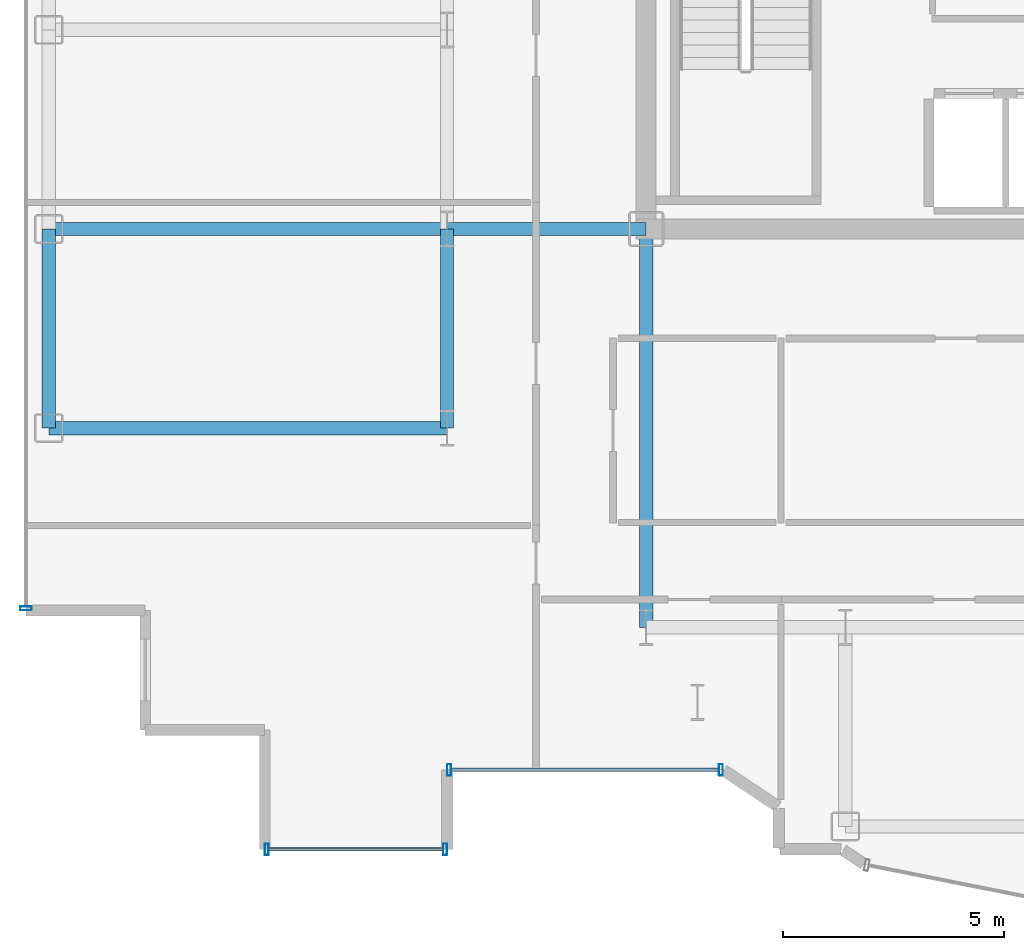
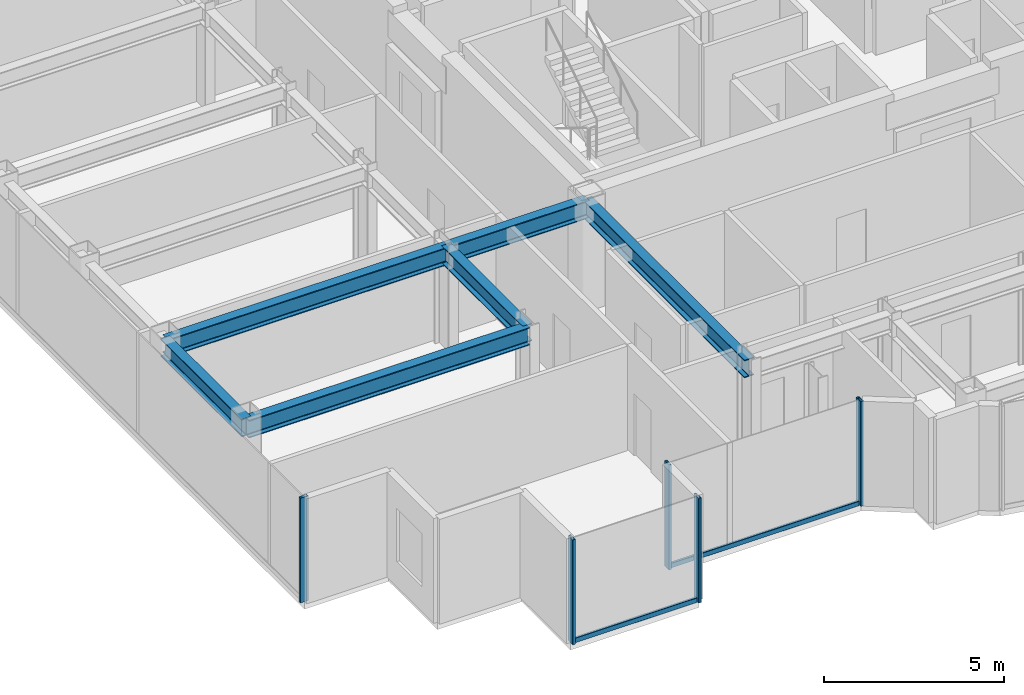
# One storey, part 2 of 20: 7 members, 6 beams, 3 elements without a shape of their own.
"""IFC4 building model written with IfcOpenShell, lengths in metres."""

from ifc_helpers import new_model, si_unit, direction, frame, origin, origin_2d, place, context, subcontext, project, spatial, hollow_rectangle, i_section, extrude, source, transform, mapped, material, layer, layer_set, material_profile, profile_set, type_object, element, aggregate, save


model = new_model("IFC4")

# Units and contexts
model_context = context("Model", 3, precision=1e-05, world=origin(), true_north=direction((0.0, 1.0)))
body_context = subcontext(model_context, "Body", "Model", "MODEL_VIEW")
ifc_project = project(units=[si_unit("LENGTHUNIT", "METRE"), si_unit("AREAUNIT", "SQUARE_METRE"), si_unit("VOLUMEUNIT", "CUBIC_METRE"), si_unit("PLANEANGLEUNIT", "RADIAN"), si_unit("MASSUNIT", "GRAM", prefix="KILO")], contexts=[model_context])

# Site, building, storey
site_placement = place(None, origin())
site = spatial("IfcSite", under=ifc_project, at=site_placement, CompositionType="ELEMENT")
building_placement = place(site_placement, origin())
building = spatial("IfcBuilding", under=site, at=building_placement, Name="Nefas-Gora Pilgrimage Tower", CompositionType="ELEMENT")
storey_placement = place(building_placement, frame((0.0, 0.0, 214.199951171875)))
storey = spatial("IfcBuildingStorey", under=building, at=storey_placement, Name="L53", CompositionType="ELEMENT", Elevation=214.199951171875)

# Beams
ifc_material_1 = material(Name="Steel S355", Category="steel")
ifc_material_profile_1 = material_profile(ifc_material_1, i_section(OverallWidth=0.300048828125, OverallDepth=0.60009765625, WebThickness=0.015380859375, FlangeThickness=0.030029296875, FilletRadius=0.027099609375, at=origin_2d()), Name="HEB 600")
ifc_profile_set_1 = profile_set([ifc_material_profile_1], Name="Steel S355")
beam_type_1 = type_object("IfcBeamType", Name="BM-SPN-HEB450", PredefinedType="SPANDREL", material=ifc_profile_set_1)
shared_shape_1 = source(origin(), body_context, "Body", "SweptSolid", [
    extrude(i_section(OverallWidth=0.300048828125, OverallDepth=0.60009765625, WebThickness=0.015380859375, FlangeThickness=0.030029296875, FilletRadius=0.027099609375, at=origin_2d()), origin(), (0.0, 0.0, 1.0), 4.5),
])
beam_placement = place(storey_placement, frame((-24.75, -13.5, 3.25), z_axis=(0.0, 1.0, 0.0), x_axis=(-1.0, 0.0, 0.0)))
element("IfcBeam", 1, at=beam_placement, inside=storey, type_object=beam_type_1, Name="L53 SP-03 beam", PredefinedType="SPANDREL", context=body_context, shape_type="MappedRepresentation", body=[
    mapped(shared_shape_1, transform((0.0, 0.0, 0.0), x_axis=(1.0, 0.0, 0.0), y_axis=(0.0, 1.0, 0.0), z_axis=(0.0, 0.0, 1.0), scale=1.0)),
])
ifc_material_profile_2 = material_profile(ifc_material_1, i_section(OverallWidth=0.300048828125, OverallDepth=0.60009765625, WebThickness=0.015380859375, FlangeThickness=0.030029296875, FilletRadius=0.027099609375, at=origin_2d()), Name="HEB 600")
ifc_profile_set_2 = profile_set([ifc_material_profile_2], Name="Steel S355")
beam_type_2 = type_object("IfcBeamType", Name="BM-GIR-HEB600", PredefinedType="BEAM", material=ifc_profile_set_2)
shared_shape_2 = source(origin(), body_context, "Body", "SweptSolid", [
    extrude(i_section(OverallWidth=0.300048828125, OverallDepth=0.60009765625, WebThickness=0.015380859375, FlangeThickness=0.030029296875, FilletRadius=0.027099609375, at=origin_2d()), origin(), (0.0, 0.0, 1.0), 9.0),
])
for number, where, z_axis, x_axis, name in (
    (2, (-24.75, -13.5, 3.25), (1.0, 0.0, 0.0), (0.0, 1.0, 0.0), "L53 G-04 beam"),
    (3, (-24.75, -9.0, 3.25), (1.0, 0.0, 0.0), (0.0, 1.0, 0.0), "L53 G-04 beam"),
    (4, (-11.25, -18.0, 3.25), (0.0, 1.0, 0.0), (-1.0, 0.0, 0.0), "L53 G-04 beam"),
):
    element("IfcBeam", number, at=place(storey_placement, frame(where, z_axis=z_axis, x_axis=x_axis)), inside=storey, type_object=beam_type_2, Name=name, PredefinedType="BEAM", context=body_context, shape_type="MappedRepresentation", body=[
        mapped(shared_shape_2, transform((0.0, 0.0, 0.0), x_axis=(1.0, 0.0, 0.0), y_axis=(0.0, 1.0, 0.0), z_axis=(0.0, 0.0, 1.0), scale=1.0)),
    ])
shared_shape_3 = source(origin(), body_context, "Body", "SweptSolid", [
    extrude(i_section(OverallWidth=0.300048828125, OverallDepth=0.60009765625, WebThickness=0.015380859375, FlangeThickness=0.030029296875, FilletRadius=0.027099609375, at=origin_2d()), origin(), (0.0, 0.0, 1.0), 4.5),
])
for number, where, z_axis, x_axis, name in (
    (5, (-15.75, -13.5, 3.25), (0.0, 1.0, 0.0), (-1.0, 0.0, 0.0), "L53 G-04 beam"),
    (6, (-15.75, -9.0, 3.25), (1.0, 0.0, 0.0), (0.0, 1.0, 0.0), "L53 G-04 beam"),
):
    element("IfcBeam", number, at=place(storey_placement, frame(where, z_axis=z_axis, x_axis=x_axis)), inside=storey, type_object=beam_type_2, Name=name, PredefinedType="BEAM", context=body_context, shape_type="MappedRepresentation", body=[
        mapped(shared_shape_3, transform((0.0, 0.0, 0.0), x_axis=(1.0, 0.0, 0.0), y_axis=(0.0, 1.0, 0.0), z_axis=(0.0, 0.0, 1.0), scale=1.0)),
    ])

# Curtain wall, members
ifc_material_2 = material(Name="Dark ceramic-fritted solar-control aluminium-glass curtain wall", Category="aluminium")
ifc_layer_1 = layer(ifc_material_2, 0.219970703125)
ifc_layer_set_1 = layer_set([ifc_layer_1], Name="Dark ceramic-fritted solar-control aluminium-glass curtain wall")
curtain_wall_type_1 = type_object("IfcCurtainWallType", Name="CW-SYS-5", PredefinedType="NOTDEFINED", material=ifc_layer_set_1)
curtain_wall_1_placement = place(storey_placement, origin())
curtain_wall_1 = element("IfcCurtainWall", 7, at=curtain_wall_1_placement, inside=storey, type_object=curtain_wall_type_1, Name="L53 Unitised Curtain Wall CW5", PredefinedType="NOTDEFINED")
ifc_material_3 = material(Name="Anodised architectural aluminium", Category="aluminium")
ifc_material_profile_3 = material_profile(ifc_material_3, hollow_rectangle(XDim=0.090087890625, YDim=0.260009765625, WallThickness=0.006103515625, InnerFilletRadius=0.006103515625, OuterFilletRadius=0.011962890625, at=origin_2d()), Name="ALU MULLION 90x260")
ifc_profile_set_3 = profile_set([ifc_material_profile_3], Name="Anodised architectural aluminium")
member_type_1 = type_object("IfcMemberType", Name="CWM-MUL-5", PredefinedType="MULLION", material=ifc_profile_set_3)
shared_shape_4 = source(origin(), body_context, "Body", "SweptSolid", [
    extrude(hollow_rectangle(XDim=0.090087890625, YDim=0.260009765625, WallThickness=0.006103515625, InnerFilletRadius=0.006103515625, OuterFilletRadius=0.011962890625, at=origin_2d()), origin(), (0.0, 0.0, 1.0), 3.550048828125),
])
member_1_placement = place(storey_placement, frame((-15.705078125, -21.219970703125, 0.0), z_axis=(0.0, 0.0, 1.0), x_axis=(1.0, 0.0, 0.0)))
member_1 = element("IfcMember", 8, at=member_1_placement, type_object=member_type_1, Name="CW5 Mullion 1", PredefinedType="MULLION", context=body_context, shape_type="MappedRepresentation", body=[
    mapped(shared_shape_4, transform((0.0, 0.0, 0.0), x_axis=(1.0, 0.0, 0.0), y_axis=(0.0, 1.0, 0.0), z_axis=(0.0, 0.0, 1.0), scale=1.0)),
])
member_2_placement = place(storey_placement, frame((-9.56298828125, -21.219970703125, 0.0), z_axis=(0.0, 0.0, 1.0), x_axis=(1.0, 0.0, 0.0)))
member_2 = element("IfcMember", 9, at=member_2_placement, type_object=member_type_1, Name="CW5 Mullion 2", PredefinedType="MULLION", context=body_context, shape_type="MappedRepresentation", body=[
    mapped(shared_shape_4, transform((0.0, 0.0, 0.0), x_axis=(1.0, 0.0, 0.0), y_axis=(0.0, 1.0, 0.0), z_axis=(0.0, 0.0, 1.0), scale=1.0)),
])
ifc_material_profile_4 = material_profile(ifc_material_3, hollow_rectangle(XDim=0.080078125, YDim=0.159912109375, WallThickness=0.00439453125, InnerFilletRadius=0.00439453125, OuterFilletRadius=0.009033203125, at=origin_2d()), Name="ALU TRANSOM 80x160")
ifc_profile_set_4 = profile_set([ifc_material_profile_4], Name="Anodised architectural aluminium")
member_type_2 = type_object("IfcMemberType", Name="CWM-TRN-5", PredefinedType="USERDEFINED", material=ifc_profile_set_4)
shared_shape_5 = source(origin(), body_context, "Body", "SweptSolid", [
    extrude(hollow_rectangle(XDim=0.080078125, YDim=0.159912109375, WallThickness=0.00439453125, InnerFilletRadius=0.00439453125, OuterFilletRadius=0.009033203125, at=origin_2d()), origin(), (0.0, 0.0, 1.0), 6.052001953125),
])
member_3_placement = place(storey_placement, frame((-15.659912109375, -21.219970703125, 0.050048828125), z_axis=(1.0, 0.0, 0.0), x_axis=(0.0, 1.0, 0.0)))
member_3 = element("IfcMember", 10, at=member_3_placement, type_object=member_type_2, Name="CW5 Spandrel Transom", ObjectType="TRANSOM", PredefinedType="USERDEFINED", context=body_context, shape_type="MappedRepresentation", body=[
    mapped(shared_shape_5, transform((0.0, 0.0, 0.0), x_axis=(1.0, 0.0, 0.0), y_axis=(0.0, 1.0, 0.0), z_axis=(0.0, 0.0, 1.0), scale=1.0)),
])
aggregate(curtain_wall_1, [member_1, member_2, member_3])

# Curtain wall, member
ifc_layer_2 = layer(ifc_material_2, 0.219970703125)
ifc_layer_set_2 = layer_set([ifc_layer_2], Name="Dark ceramic-fritted solar-control aluminium-glass curtain wall")
curtain_wall_type_2 = type_object("IfcCurtainWallType", Name="CW-SYS-3", PredefinedType="NOTDEFINED", material=ifc_layer_set_2)
curtain_wall_2_placement = place(storey_placement, origin())
curtain_wall_2 = element("IfcCurtainWall", 11, at=curtain_wall_2_placement, inside=storey, type_object=curtain_wall_type_2, Name="L53 Unitised Curtain Wall CW3", PredefinedType="NOTDEFINED")
ifc_material_profile_5 = material_profile(ifc_material_3, hollow_rectangle(XDim=0.090087890625, YDim=0.260009765625, WallThickness=0.006103515625, InnerFilletRadius=0.006103515625, OuterFilletRadius=0.011962890625, at=origin_2d()), Name="ALU MULLION 90x260")
ifc_profile_set_5 = profile_set([ifc_material_profile_5], Name="Anodised architectural aluminium")
member_type_3 = type_object("IfcMemberType", Name="CWM-MUL-3", PredefinedType="MULLION", material=ifc_profile_set_5)
shared_shape_6 = source(origin(), body_context, "Body", "SweptSolid", [
    extrude(hollow_rectangle(XDim=0.090087890625, YDim=0.260009765625, WallThickness=0.006103515625, InnerFilletRadius=0.006103515625, OuterFilletRadius=0.011962890625, at=origin_2d()), origin(), (0.0, 0.0, 1.0), 3.550048828125),
])
member_4_placement = place(storey_placement, frame((-25.27001953125, -17.574951171875, 0.0), z_axis=(0.0, 0.0, 1.0), x_axis=(0.0, -1.0, 0.0)))
member_4 = element("IfcMember", 12, at=member_4_placement, type_object=member_type_3, Name="CW3 Mullion 2", PredefinedType="MULLION", context=body_context, shape_type="MappedRepresentation", body=[
    mapped(shared_shape_6, transform((0.0, 0.0, 0.0), x_axis=(1.0, 0.0, 0.0), y_axis=(0.0, 1.0, 0.0), z_axis=(0.0, 0.0, 1.0), scale=1.0)),
])
aggregate(curtain_wall_2, [member_4])

# Curtain wall, members
curtain_wall_3_placement = place(storey_placement, origin())
curtain_wall_3 = element("IfcCurtainWall", 13, at=curtain_wall_3_placement, inside=storey, type_object=curtain_wall_type_2, Name="L53 Unitised Curtain Wall CW3", PredefinedType="NOTDEFINED")
member_5_placement = place(storey_placement, frame((-19.824951171875, -23.02001953125, 0.0), z_axis=(0.0, 0.0, 1.0), x_axis=(1.0, 0.0, 0.0)))
member_5 = element("IfcMember", 14, at=member_5_placement, type_object=member_type_3, Name="CW3 Mullion 1", PredefinedType="MULLION", context=body_context, shape_type="MappedRepresentation", body=[
    mapped(shared_shape_6, transform((0.0, 0.0, 0.0), x_axis=(1.0, 0.0, 0.0), y_axis=(0.0, 1.0, 0.0), z_axis=(0.0, 0.0, 1.0), scale=1.0)),
])
member_6_placement = place(storey_placement, frame((-15.794921875, -23.02001953125, 0.0), z_axis=(0.0, 0.0, 1.0), x_axis=(1.0, 0.0, 0.0)))
member_6 = element("IfcMember", 15, at=member_6_placement, type_object=member_type_3, Name="CW3 Mullion 2", PredefinedType="MULLION", context=body_context, shape_type="MappedRepresentation", body=[
    mapped(shared_shape_6, transform((0.0, 0.0, 0.0), x_axis=(1.0, 0.0, 0.0), y_axis=(0.0, 1.0, 0.0), z_axis=(0.0, 0.0, 1.0), scale=1.0)),
])
ifc_material_profile_6 = material_profile(ifc_material_3, hollow_rectangle(XDim=0.080078125, YDim=0.159912109375, WallThickness=0.00439453125, InnerFilletRadius=0.00439453125, OuterFilletRadius=0.009033203125, at=origin_2d()), Name="ALU TRANSOM 80x160")
ifc_profile_set_6 = profile_set([ifc_material_profile_6], Name="Anodised architectural aluminium")
member_type_4 = type_object("IfcMemberType", Name="CWM-TRN-3", PredefinedType="USERDEFINED", material=ifc_profile_set_6)
shared_shape_7 = source(origin(), body_context, "Body", "SweptSolid", [
    extrude(hollow_rectangle(XDim=0.080078125, YDim=0.159912109375, WallThickness=0.00439453125, InnerFilletRadius=0.00439453125, OuterFilletRadius=0.009033203125, at=origin_2d()), origin(), (0.0, 0.0, 1.0), 3.93994140625),
])
member_7_placement = place(storey_placement, frame((-19.780029296875, -23.02001953125, 0.050048828125), z_axis=(1.0, 0.0, 0.0), x_axis=(0.0, 1.0, 0.0)))
member_7 = element("IfcMember", 16, at=member_7_placement, type_object=member_type_4, Name="CW3 Spandrel Transom", ObjectType="TRANSOM", PredefinedType="USERDEFINED", context=body_context, shape_type="MappedRepresentation", body=[
    mapped(shared_shape_7, transform((0.0, 0.0, 0.0), x_axis=(1.0, 0.0, 0.0), y_axis=(0.0, 1.0, 0.0), z_axis=(0.0, 0.0, 1.0), scale=1.0)),
])
aggregate(curtain_wall_3, [member_5, member_6, member_7])

save(model, "model.ifc")
